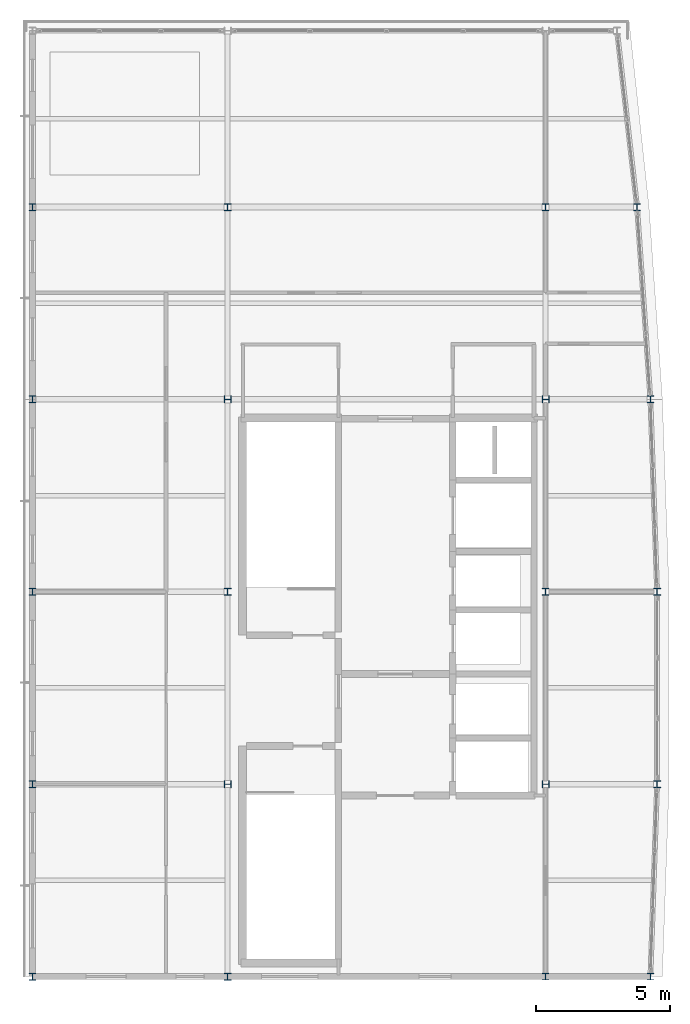
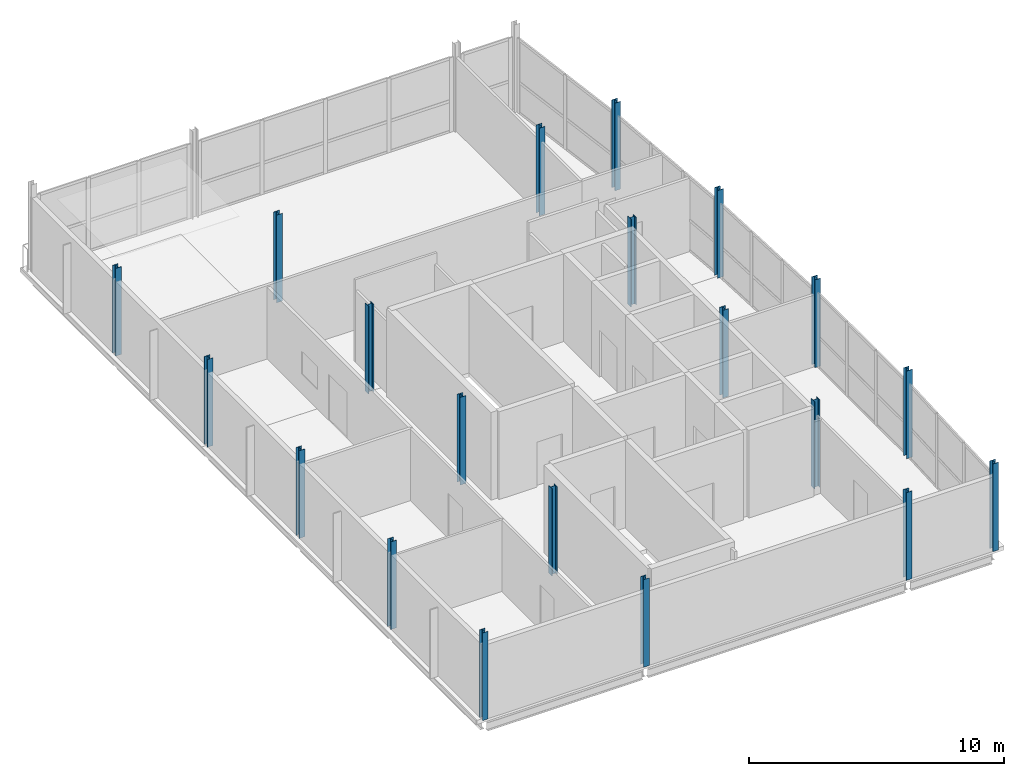
# One storey, part 1 of 14: 20 columns.
"""IFC4 building model written with IfcOpenShell, lengths in metres."""

from ifc_helpers import new_model, si_unit, direction, frame, origin, origin_2d, place, context, subcontext, project, spatial, i_section, extrude, material, material_profile, profile_set, type_object, element, save


model = new_model("IFC4")

# Units and contexts
model_context = context("Model", 3, precision=1e-05, world=origin(), true_north=direction((0.0, 1.0)))
body_context = subcontext(model_context, "Body", "Model", "MODEL_VIEW")
ifc_project = project(units=[si_unit("LENGTHUNIT", "METRE"), si_unit("AREAUNIT", "SQUARE_METRE"), si_unit("VOLUMEUNIT", "CUBIC_METRE"), si_unit("PLANEANGLEUNIT", "RADIAN"), si_unit("MASSUNIT", "GRAM", prefix="KILO")], contexts=[model_context])

# Site, building, storey
site_placement = place(None, origin())
site = spatial("IfcSite", under=ifc_project, at=site_placement, CompositionType="ELEMENT")
building_placement = place(site_placement, origin())
building = spatial("IfcBuilding", under=site, at=building_placement, Name="Quillay Park Conservatory", CompositionType="ELEMENT")
storey_placement = place(building_placement, frame((0.0, 0.0, 64.5)))
storey = spatial("IfcBuildingStorey", under=building, at=storey_placement, Name="L15", CompositionType="ELEMENT", Elevation=64.5)

# Columns
ifc_material = material(Name="Steel ASTM A992 Grade 50", Category="steel")
ifc_material_profile = material_profile(ifc_material, i_section(OverallWidth=0.256103515625, OverallDepth=0.260009765625, WebThickness=0.0107421875, FlangeThickness=0.017333984375, FilletRadius=0.012939453125, at=origin_2d()), Name="W250x89")
ifc_profile_set = profile_set([ifc_material_profile], Name="Steel ASTM A992 Grade 50")
column_type = type_object("IfcColumnType", Name="COMPOSITE STEEL COLUMN W250 X89", PredefinedType="COLUMN", material=ifc_profile_set)
for number, where, z_axis, x_axis, name in (
    (1, (0.550048828125, 78.0, 0.0), (0.0, 0.0, 1.0), (1.0, 0.0, 0.0), "L15 column COL-V4-L15-0-0"),
    (2, (7.85009765625, 78.0, 0.0), (0.0, 0.0, 1.0), (1.0, 0.0, 0.0), "L15 column COL-V4-L15-0-1"),
    (3, (19.75, 78.0, 0.0), (0.0, 0.0, 1.0), (1.0, 0.0, 0.0), "L15 column COL-V4-L15-0-2"),
    (4, (23.675048828125, 78.0, 0.0), (0.0, 0.0, 1.0), (1.0, 0.0, 0.0), "L15 column COL-V4-L15-0-3"),
    (5, (0.550048828125, 85.199951171875, 0.0), (0.0, 0.0, 1.0), (1.0, 0.0, 0.0), "L15 column COL-V4-L15-1-0"),
    (6, (7.85009765625, 85.199951171875, 0.0), (0.0, 0.0, 1.0), (0.0, 1.0, 0.0), "L15 column COL-V4-L15-1-1"),
    (7, (19.75, 85.199951171875, 0.0), (0.0, 0.0, 1.0), (0.0, 1.0, 0.0), "L15 column COL-V4-L15-1-2"),
    (8, (23.925048828125, 85.199951171875, 0.0), (0.0, 0.0, 1.0), (1.0, 0.0, 0.0), "L15 column COL-V4-L15-1-3"),
    (9, (0.550048828125, 92.39990234375, 0.0), (0.0, 0.0, 1.0), (1.0, 0.0, 0.0), "L15 column COL-V4-L15-2-0"),
    (10, (7.85009765625, 92.39990234375, 0.0), (0.0, 0.0, 1.0), (1.0, 0.0, 0.0), "L15 column COL-V4-L15-2-1"),
    (11, (19.75, 92.39990234375, 0.0), (0.0, 0.0, 1.0), (1.0, 0.0, 0.0), "L15 column COL-V4-L15-2-2"),
    (12, (23.925048828125, 92.39990234375, 0.0), (0.0, 0.0, 1.0), (1.0, 0.0, 0.0), "L15 column COL-V4-L15-2-3"),
    (13, (0.550048828125, 99.60009765625, 0.0), (0.0, 0.0, 1.0), (1.0, 0.0, 0.0), "L15 column COL-V4-L15-3-0"),
    (14, (7.85009765625, 99.60009765625, 0.0), (0.0, 0.0, 1.0), (0.0, 1.0, 0.0), "L15 column COL-V4-L15-3-1"),
    (15, (19.75, 99.60009765625, 0.0), (0.0, 0.0, 1.0), (0.0, 1.0, 0.0), "L15 column COL-V4-L15-3-2"),
    (16, (23.675048828125, 99.60009765625, 0.0), (0.0, 0.0, 1.0), (1.0, 0.0, 0.0), "L15 column COL-V4-L15-3-3"),
    (17, (0.550048828125, 106.800048828125, 0.0), (0.0, 0.0, 1.0), (1.0, 0.0, 0.0), "L15 column COL-V4-L15-4-0"),
    (18, (7.85009765625, 106.800048828125, 0.0), (0.0, 0.0, 1.0), (1.0, 0.0, 0.0), "L15 column COL-V4-L15-4-1"),
    (19, (19.75, 106.800048828125, 0.0), (0.0, 0.0, 1.0), (1.0, 0.0, 0.0), "L15 column COL-V4-L15-4-2"),
    (20, (23.175048828125, 106.800048828125, 0.0), (0.0, 0.0, 1.0), (1.0, 0.0, 0.0), "L15 column COL-V4-L15-4-3"),
):
    element("IfcColumn", number, at=place(storey_placement, frame(where, z_axis=z_axis, x_axis=x_axis)), inside=storey, type_object=column_type, Name=name, PredefinedType="COLUMN", context=body_context, shape_type="SweptSolid", body=[
        extrude(i_section(OverallWidth=0.256103515625, OverallDepth=0.260009765625, WebThickness=0.0107421875, FlangeThickness=0.017333984375, FilletRadius=0.012939453125, at=origin_2d()), origin(), (0.0, 0.0, 1.0), 4.199951171875),
    ])

save(model, "model.ifc")
